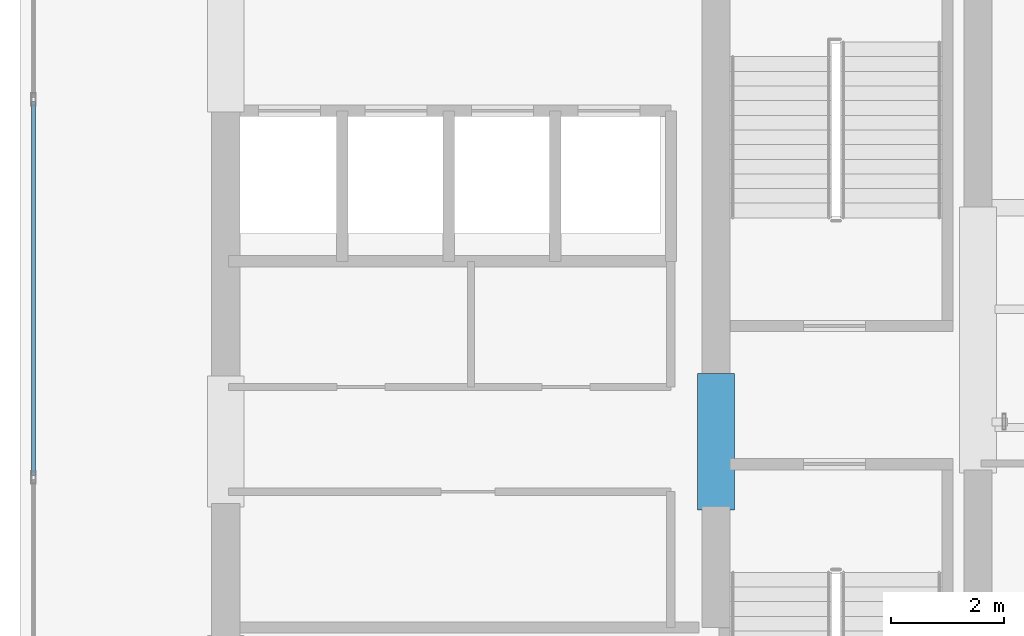
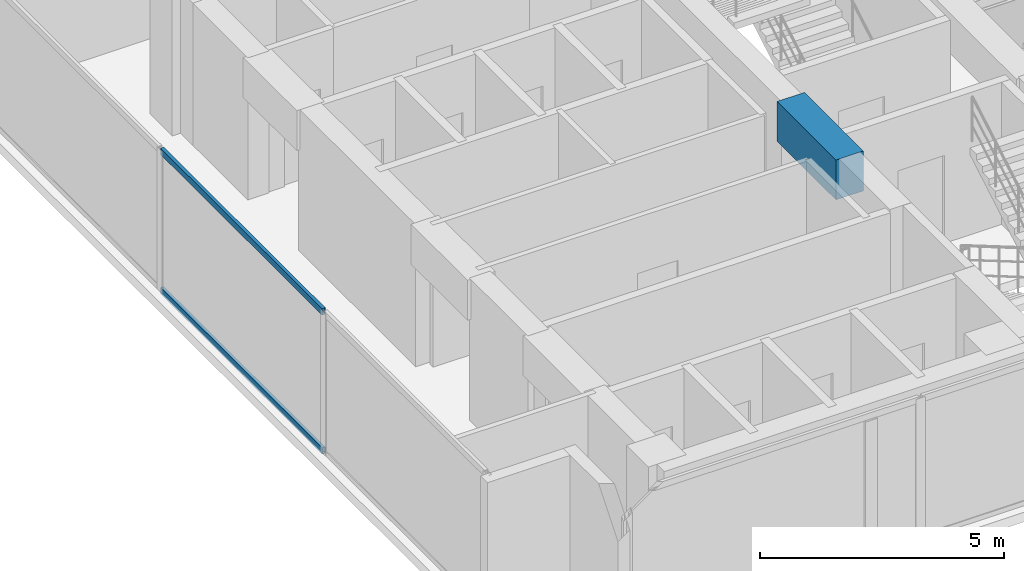
# One storey, part 3 of 23: 2 members, 1 beam, 1 element without a shape of its own.
"""IFC4 building model written with IfcOpenShell, lengths in metres."""

import ifcopenshell
import ifcopenshell.guid

model = None  # the IFC model being written
_history = None  # IfcOwnerHistory: only IFC2X3 demands one
_inside = {}  # id of a spatial element -> (the spatial element, [elements in it])
_under = {}  # id of a project, library or spatial element -> (it, [spatial elements below it])
_declared = {}  # id of a project -> (the project, [libraries it declares])
_typed = {}  # id of a type object -> (the type object, [elements of that type])
_made_of = {}  # id of a material, layer set ... -> (it, [elements and type objects made of it])


def new_model(schema):
    """Start an empty IFC model of exactly this schema.

    Asked for "IFC4X3", IfcOpenShell would pick the latest addendum, in which some entities
    have other attributes; the version numbers below select the first issue.
    IFC2X3 requires an IfcOwnerHistory on every rooted entity: one is made here for all.
    """
    global model, _history
    if schema == "IFC4X3":
        model = ifcopenshell.file(schema_version=(4, 3, 0, 0))
    else:
        model = ifcopenshell.file(schema=schema)
    _inside.clear()
    _under.clear()
    _declared.clear()
    _typed.clear()
    _made_of.clear()
    _history = None
    if model.schema == "IFC2X3":
        org = make("IfcOrganization", Name="unknown")
        user = make(
            "IfcPersonAndOrganization",
            ThePerson=make("IfcPerson", FamilyName="unknown"),
            TheOrganization=org,
        )
        app = make(
            "IfcApplication",
            ApplicationDeveloper=org,
            Version="unknown",
            ApplicationFullName="unknown",
            ApplicationIdentifier="unknown",
        )
        _history = make(
            "IfcOwnerHistory",
            OwningUser=user,
            OwningApplication=app,
            ChangeAction="ADDED",
            CreationDate=0,
        )
    return model


def make(cls, **values):
    """One entity of the class cls with the attributes given. An attribute that is None is left unset."""
    return model.create_entity(
        cls, **{name: value for name, value in values.items() if value is not None}
    )


def rooted(cls, **values):
    """An entity with a GlobalId (a new one), such as an element, a storey or a relation."""
    return make(cls, GlobalId=ifcopenshell.guid.new(), OwnerHistory=_history, **values)


def si_unit(unit_type, name, prefix=None):
    """IfcSIUnit, for example si_unit("LENGTHUNIT", "METRE", prefix="MILLI")."""
    return make("IfcSIUnit", UnitType=unit_type, Prefix=prefix, Name=name)


def assignment(units):
    """IfcUnitAssignment: the units of a project."""
    return None if units is None else make("IfcUnitAssignment", Units=units)


def point(xyz):
    """IfcCartesianPoint."""
    return None if xyz is None else make("IfcCartesianPoint", Coordinates=xyz)


def direction(xyz):
    """IfcDirection."""
    return None if xyz is None else make("IfcDirection", DirectionRatios=xyz)


def frame(location, z_axis=None, x_axis=None):
    """IfcAxis2Placement3D, a coordinate frame: its origin and axes. An axis left out is left unset."""
    return make(
        "IfcAxis2Placement3D",
        Location=point(location),
        Axis=direction(z_axis),
        RefDirection=direction(x_axis),
    )


def frame_2d(location, x_axis=None):
    """IfcAxis2Placement2D, a coordinate frame in the plane: its origin and x axis."""
    return make(
        "IfcAxis2Placement2D", Location=point(location), RefDirection=direction(x_axis)
    )


def origin():
    """The frame at (0, 0, 0) with its axes left unset."""
    return frame((0.0, 0.0, 0.0))


def origin_with_axes():
    """The frame at (0, 0, 0) with the z axis (0, 0, 1) and the x axis (1, 0, 0) written out."""
    return frame((0.0, 0.0, 0.0), z_axis=(0.0, 0.0, 1.0), x_axis=(1.0, 0.0, 0.0))


def origin_2d():
    """The frame at (0, 0) in the plane with its x axis left unset."""
    return frame_2d((0.0, 0.0))


def place(relative_to, where):
    """IfcLocalPlacement: puts the frame where relative to a parent placement (None: the world)."""
    return make(
        "IfcLocalPlacement", PlacementRelTo=relative_to, RelativePlacement=where
    )


def context(
    kind, dimensions, precision=None, world=None, true_north=None, identifier=None
):
    """IfcGeometricRepresentationContext, for example the 3D "Model" context."""
    return make(
        "IfcGeometricRepresentationContext",
        ContextIdentifier=identifier,
        ContextType=kind,
        CoordinateSpaceDimension=dimensions,
        Precision=precision,
        WorldCoordinateSystem=world,
        TrueNorth=true_north,
    )


def subcontext(parent, identifier, kind, view, scale=None):
    """IfcGeometricRepresentationSubContext, for example "Body" below "Model"."""
    return make(
        "IfcGeometricRepresentationSubContext",
        ContextIdentifier=identifier,
        ContextType=kind,
        ParentContext=parent,
        TargetScale=scale,
        TargetView=view,
    )


def project(units=None, contexts=None):
    """IfcProject with its units and contexts."""
    return rooted(
        "IfcProject",
        Name="project",
        RepresentationContexts=contexts,
        UnitsInContext=assignment(units),
    )


def spatial(cls, under=None, at=None, **own):
    """A site, building, storey or space (cls), placed at a placement, below another one or the project."""
    s = rooted(cls, ObjectPlacement=at, **own)
    if under is not None:
        _under.setdefault(under.id(), (under, []))[1].append(s)
    return s


def profile(cls, at=None, kind="AREA", **sizes):
    """A parametric profile (cls). Its sizes go by their IFC names, for example OverallWidth=200.0."""
    return make(cls, ProfileType=kind, Position=at, **sizes)


def rectangle(**sizes):
    """IfcRectangleProfileDef."""
    return profile("IfcRectangleProfileDef", **sizes)


def hollow_rectangle(**sizes):
    """IfcRectangleHollowProfileDef."""
    return profile("IfcRectangleHollowProfileDef", **sizes)


def extrude(swept, where, along, depth):
    """IfcExtrudedAreaSolid: the profile swept, set in the frame where, extruded along a direction by depth."""
    return make(
        "IfcExtrudedAreaSolid",
        SweptArea=swept,
        Position=where,
        ExtrudedDirection=direction(along),
        Depth=depth,
    )


def shape(context_of_items, identifier, shape_type, items):
    """IfcShapeRepresentation: the items that make up one representation, for example the "Body"."""
    return make(
        "IfcShapeRepresentation",
        ContextOfItems=context_of_items,
        RepresentationIdentifier=identifier,
        RepresentationType=shape_type,
        Items=items,
    )


def source(mapping_origin, context_of_items, identifier, shape_type, items):
    """IfcRepresentationMap: a shape defined once, which mapped items show again and again."""
    return make(
        "IfcRepresentationMap",
        MappingOrigin=mapping_origin,
        MappedRepresentation=shape(context_of_items, identifier, shape_type, items),
    )


def transform(
    local_origin,
    x_axis=None,
    y_axis=None,
    z_axis=None,
    scale=None,
    scale2=None,
    scale3=None,
    uniform=True,
):
    """IfcCartesianTransformationOperator3D, or its non-uniform kind. x_axis, y_axis, z_axis: its Axis1, 2, 3."""
    if uniform:
        return make(
            "IfcCartesianTransformationOperator3D",
            Axis1=direction(x_axis),
            Axis2=direction(y_axis),
            LocalOrigin=point(local_origin),
            Scale=scale,
            Axis3=direction(z_axis),
        )
    return make(
        "IfcCartesianTransformationOperator3DnonUniform",
        Axis1=direction(x_axis),
        Axis2=direction(y_axis),
        LocalOrigin=point(local_origin),
        Scale=scale,
        Axis3=direction(z_axis),
        Scale2=scale2,
        Scale3=scale3,
    )


def mapped(mapping_source, mapping_target):
    """IfcMappedItem: shows the shape of a source again, moved by a transform."""
    return make(
        "IfcMappedItem", MappingSource=mapping_source, MappingTarget=mapping_target
    )


def material(Name=None, Category=None):
    """IfcMaterial."""
    return make("IfcMaterial", Name=Name, Category=Category)


def layer(
    of_material, thickness, ventilated=None, Name=None, Category=None, Priority=None
):
    """IfcMaterialLayer: one layer of a wall or slab, of a material (None: an air gap)."""
    return make(
        "IfcMaterialLayer",
        Material=of_material,
        LayerThickness=thickness,
        IsVentilated=ventilated,
        Name=Name,
        Category=Category,
        Priority=Priority,
    )


def layer_set(layers, Name=None):
    """IfcMaterialLayerSet."""
    return make("IfcMaterialLayerSet", MaterialLayers=layers, LayerSetName=Name)


def material_profile(
    of_material, cross_section, Name=None, Category=None, Priority=None
):
    """IfcMaterialProfile: a cross section and its material."""
    return make(
        "IfcMaterialProfile",
        Name=Name,
        Material=of_material,
        Profile=cross_section,
        Priority=Priority,
        Category=Category,
    )


def profile_set(profiles, Name=None, composite=None):
    """IfcMaterialProfileSet."""
    return make(
        "IfcMaterialProfileSet",
        Name=Name,
        MaterialProfiles=profiles,
        CompositeProfile=composite,
    )


def made_of(thing, what):
    """Note that an element or type object is made of a material, layer set ...; save() writes the relation."""
    if what is not None:
        _made_of.setdefault(what.id(), (what, []))[1].append(thing)
    return thing


def type_object(cls, material=None, **own):
    """A type object (cls), such as IfcWallType, which elements share."""
    return made_of(rooted(cls, **own), material)


def element(
    cls,
    number,
    at=None,
    inside=None,
    cuts=None,
    type_object=None,
    material=None,
    context=None,
    identifier="Body",
    shape_type=None,
    held_by="IfcProductDefinitionShape",
    body=None,
    shapes=None,
    **own,
):
    """One element of the class cls, such as IfcWall. Its Tag is "e" and its number.

    at: its placement. inside: the storey or other place that contains it. cuts: it is an
    opening in that element (IfcRelVoidsElement). A single representation is given by context,
    identifier, shape_type and body (its items); several are given by shapes. held_by: the class
    of the entity that holds the representations. save() writes the other relations.
    """
    e = rooted(cls, Tag="e%d" % number, ObjectPlacement=at, **own)
    if body is not None:
        shapes = [shape(context, identifier, shape_type, body)]
    if shapes is not None:
        e.Representation = make(held_by, Representations=shapes)
    if inside is not None:
        _inside.setdefault(inside.id(), (inside, []))[1].append(e)
    if cuts is not None:
        rooted(
            "IfcRelVoidsElement", RelatingBuildingElement=cuts, RelatedOpeningElement=e
        )
    if type_object is not None:
        _typed.setdefault(type_object.id(), (type_object, []))[1].append(e)
    return made_of(e, material)


def aggregate(whole, parts):
    """IfcRelAggregates: a whole, such as a stair, and the parts it consists of."""
    return rooted("IfcRelAggregates", RelatingObject=whole, RelatedObjects=parts)


def save(model, path):
    """Write the relations noted so far, then the file.

    IfcRelAggregates (storeys below a building ...), IfcRelContainedInSpatialStructure (elements
    in a storey), IfcRelDefinesByType, IfcRelAssociatesMaterial and IfcRelDeclares: one each for
    every whole, place, type object, material and project.
    """
    for whole, parts in _under.values():
        aggregate(whole, parts)
    for where, things in _inside.values():
        rooted(
            "IfcRelContainedInSpatialStructure",
            RelatedElements=things,
            RelatingStructure=where,
        )
    for kind, things in _typed.values():
        rooted("IfcRelDefinesByType", RelatedObjects=things, RelatingType=kind)
    for what, things in _made_of.values():
        rooted("IfcRelAssociatesMaterial", RelatedObjects=things, RelatingMaterial=what)
    for by, libraries in _declared.values():
        rooted("IfcRelDeclares", RelatingContext=by, RelatedDefinitions=libraries)
    model.write(path)


model = new_model("IFC4")

# Units and contexts
model_context = context("Model", 3, precision=1e-05, world=origin(), true_north=direction((0.0, 1.0)))
body_context = subcontext(model_context, "Body", "Model", "MODEL_VIEW")
ifc_project = project(units=[si_unit("LENGTHUNIT", "METRE"), si_unit("AREAUNIT", "SQUARE_METRE"), si_unit("VOLUMEUNIT", "CUBIC_METRE"), si_unit("PLANEANGLEUNIT", "RADIAN"), si_unit("MASSUNIT", "GRAM", prefix="KILO")], contexts=[model_context])

# Site, building, storey
site_placement = place(None, origin())
site = spatial("IfcSite", under=ifc_project, at=site_placement, CompositionType="ELEMENT")
building_placement = place(site_placement, origin())
building = spatial("IfcBuilding", under=site, at=building_placement, Name="Kolvaren Waterfront Exchange", CompositionType="ELEMENT")
storey_placement = place(building_placement, frame((0.0, 0.0, 297.0)))
storey = spatial("IfcBuildingStorey", under=building, at=storey_placement, Name="L76", CompositionType="ELEMENT", Elevation=297.0)

# Beam
ifc_material_1 = material(Name="Concrete C60/75", Category="concrete")
ifc_material_profile_1 = material_profile(ifc_material_1, rectangle(XDim=0.64990234375, YDim=1.0, at=origin_2d()), Name="RC-CB-1000x650")
ifc_profile_set_1 = profile_set([ifc_material_profile_1], Name="Concrete C60/75")
beam_type = type_object("IfcBeamType", Name="STR-CB-1000", PredefinedType="SPANDREL", material=ifc_profile_set_1)
beam_placement = place(storey_placement, frame((16.14990234375, 12.0400390625, 3.06005859375), z_axis=(0.0, 1.0, 0.0), x_axis=(-1.0, 0.0, 0.0)))
element("IfcBeam", 1, at=beam_placement, inside=storey, type_object=beam_type, Name="L76 core coupling beam 6", PredefinedType="SPANDREL", context=body_context, shape_type="SweptSolid", body=[
    extrude(rectangle(XDim=0.64990234375, YDim=1.0, at=origin_2d()), origin(), (0.0, 0.0, 1.0), 2.419921875),
])

# Curtain wall, members
ifc_material_2 = material(Name="Anodised aluminium 6063-T6", Category="aluminium")
ifc_layer = layer(ifc_material_2, 0.219970703125, Name="Anodised aluminium 6063-T6")
ifc_layer_set = layer_set([ifc_layer], Name="Anodised aluminium 6063-T6")
curtain_wall_type = type_object("IfcCurtainWallType", Name="ARC-CW-SYS2", PredefinedType="USERDEFINED", material=ifc_layer_set)
curtain_wall_placement = place(storey_placement, origin())
curtain_wall = element("IfcCurtainWall", 2, at=curtain_wall_placement, inside=storey, type_object=curtain_wall_type, Name="L76 stick curtain wall CW2 (CW-L76-W)", ObjectType="STICK CURTAIN WALL", PredefinedType="USERDEFINED")
ifc_material_profile_2 = material_profile(ifc_material_2, hollow_rectangle(XDim=0.074951171875, YDim=0.159912109375, WallThickness=0.00439453125, at=origin_2d()), Name="ALU-TRN-160x75x4.5")
ifc_profile_set_2 = profile_set([ifc_material_profile_2], Name="Anodised aluminium 6063-T6")
member_type = type_object("IfcMemberType", Name="ARC-CWT-160", PredefinedType="USERDEFINED", material=ifc_profile_set_2)
shared_shape = source(origin_with_axes(), body_context, "Body", "SweptSolid", [
    extrude(hollow_rectangle(XDim=0.074951171875, YDim=0.159912109375, WallThickness=0.00439453125, at=origin_2d()), origin(), (0.0, 0.0, 1.0), 6.63134765625),
])
member_1_placement = place(storey_placement, frame((4.0400390625, 12.6513671875, 0.03759765625), z_axis=(0.0, 1.0, 0.0), x_axis=(-1.0, 0.0, 0.0)))
member_1 = element("IfcMember", 3, at=member_1_placement, type_object=member_type, Name="CW2 transom 2.1", ObjectType="TRANSOM", PredefinedType="USERDEFINED", context=body_context, shape_type="MappedRepresentation", body=[
    mapped(shared_shape, transform((0.0, 0.0, 0.0), x_axis=(1.0, 0.0, 0.0), y_axis=(0.0, 1.0, 0.0), z_axis=(0.0, 0.0, 1.0), scale=1.0)),
])
member_2_placement = place(storey_placement, frame((4.0400390625, 12.6513671875, 3.5224609375), z_axis=(0.0, 1.0, 0.0), x_axis=(-1.0, 0.0, 0.0)))
member_2 = element("IfcMember", 4, at=member_2_placement, type_object=member_type, Name="CW2 transom 2.2", ObjectType="TRANSOM", PredefinedType="USERDEFINED", context=body_context, shape_type="MappedRepresentation", body=[
    mapped(shared_shape, transform((0.0, 0.0, 0.0), x_axis=(1.0, 0.0, 0.0), y_axis=(0.0, 1.0, 0.0), z_axis=(0.0, 0.0, 1.0), scale=1.0)),
])
aggregate(curtain_wall, [member_1, member_2])

save(model, "model.ifc")
